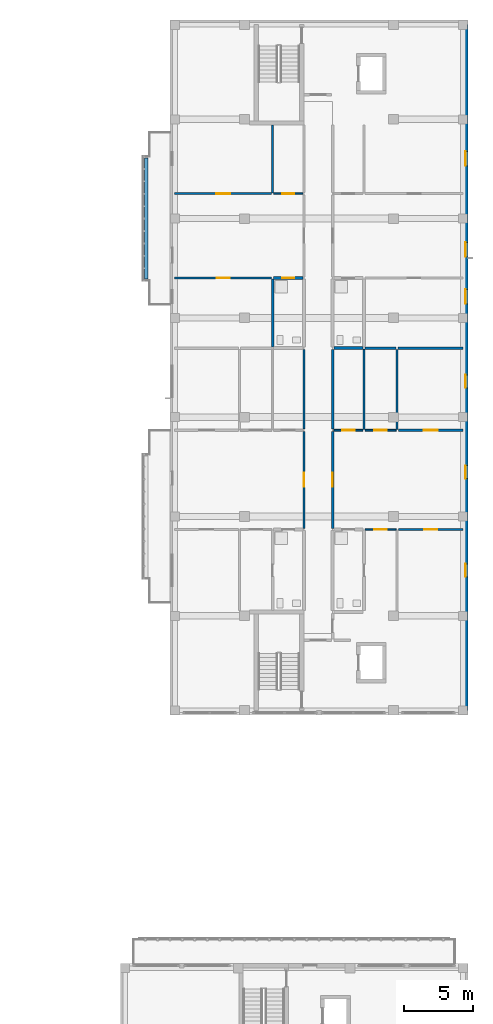
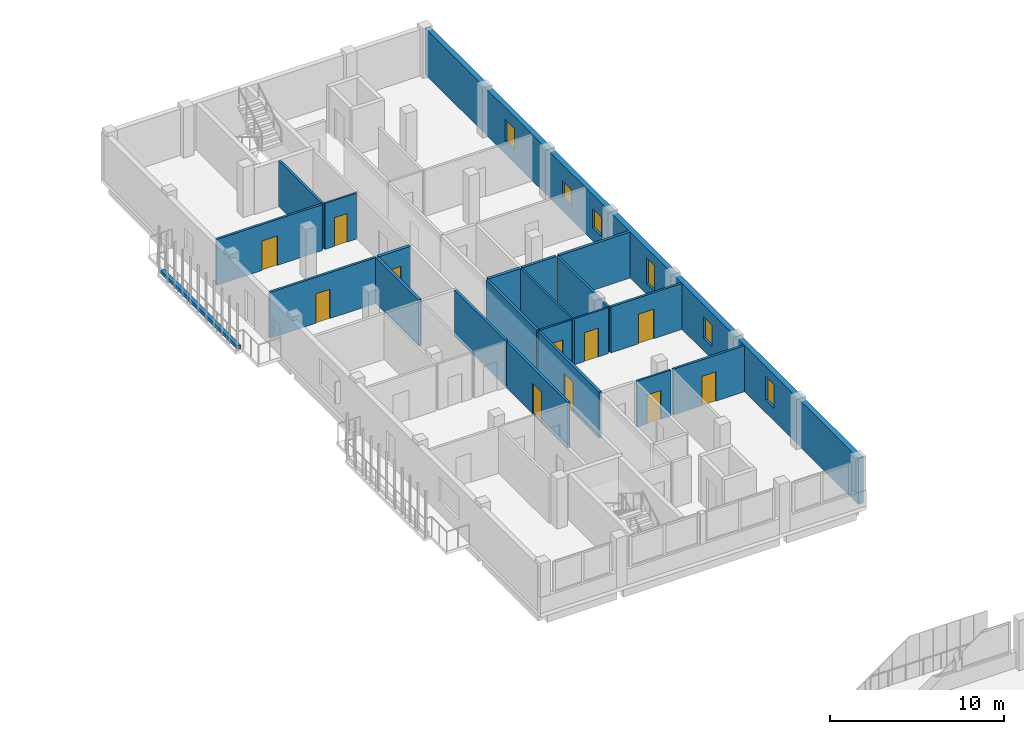
# One storey, part 50 of 73: 22 walls, 11 doors, 6 windows, 17 openings.
"""IFC4 building model written with IfcOpenShell, lengths in metres."""

import ifcopenshell
import ifcopenshell.guid

model = None  # the IFC model being written
_history = None  # IfcOwnerHistory: only IFC2X3 demands one
_inside = {}  # id of a spatial element -> (the spatial element, [elements in it])
_under = {}  # id of a project, library or spatial element -> (it, [spatial elements below it])
_declared = {}  # id of a project -> (the project, [libraries it declares])
_typed = {}  # id of a type object -> (the type object, [elements of that type])
_made_of = {}  # id of a material, layer set ... -> (it, [elements and type objects made of it])


def new_model(schema):
    """Start an empty IFC model of exactly this schema.

    Asked for "IFC4X3", IfcOpenShell would pick the latest addendum, in which some entities
    have other attributes; the version numbers below select the first issue.
    IFC2X3 requires an IfcOwnerHistory on every rooted entity: one is made here for all.
    """
    global model, _history
    if schema == "IFC4X3":
        model = ifcopenshell.file(schema_version=(4, 3, 0, 0))
    else:
        model = ifcopenshell.file(schema=schema)
    _inside.clear()
    _under.clear()
    _declared.clear()
    _typed.clear()
    _made_of.clear()
    _history = None
    if model.schema == "IFC2X3":
        org = make("IfcOrganization", Name="unknown")
        user = make(
            "IfcPersonAndOrganization",
            ThePerson=make("IfcPerson", FamilyName="unknown"),
            TheOrganization=org,
        )
        app = make(
            "IfcApplication",
            ApplicationDeveloper=org,
            Version="unknown",
            ApplicationFullName="unknown",
            ApplicationIdentifier="unknown",
        )
        _history = make(
            "IfcOwnerHistory",
            OwningUser=user,
            OwningApplication=app,
            ChangeAction="ADDED",
            CreationDate=0,
        )
    return model


def make(cls, **values):
    """One entity of the class cls with the attributes given. An attribute that is None is left unset."""
    return model.create_entity(
        cls, **{name: value for name, value in values.items() if value is not None}
    )


def rooted(cls, **values):
    """An entity with a GlobalId (a new one), such as an element, a storey or a relation."""
    return make(cls, GlobalId=ifcopenshell.guid.new(), OwnerHistory=_history, **values)


def si_unit(unit_type, name, prefix=None):
    """IfcSIUnit, for example si_unit("LENGTHUNIT", "METRE", prefix="MILLI")."""
    return make("IfcSIUnit", UnitType=unit_type, Prefix=prefix, Name=name)


def derived_unit(unit_type, elements):
    """IfcDerivedUnit: a product of units, each with its exponent."""
    return make(
        "IfcDerivedUnit",
        Elements=[
            make("IfcDerivedUnitElement", Unit=unit, Exponent=power)
            for unit, power in elements
        ],
        UnitType=unit_type,
    )


def assignment(units):
    """IfcUnitAssignment: the units of a project."""
    return None if units is None else make("IfcUnitAssignment", Units=units)


def point(xyz):
    """IfcCartesianPoint."""
    return None if xyz is None else make("IfcCartesianPoint", Coordinates=xyz)


def direction(xyz):
    """IfcDirection."""
    return None if xyz is None else make("IfcDirection", DirectionRatios=xyz)


def frame(location, z_axis=None, x_axis=None):
    """IfcAxis2Placement3D, a coordinate frame: its origin and axes. An axis left out is left unset."""
    return make(
        "IfcAxis2Placement3D",
        Location=point(location),
        Axis=direction(z_axis),
        RefDirection=direction(x_axis),
    )


def frame_2d(location, x_axis=None):
    """IfcAxis2Placement2D, a coordinate frame in the plane: its origin and x axis."""
    return make(
        "IfcAxis2Placement2D", Location=point(location), RefDirection=direction(x_axis)
    )


def origin():
    """The frame at (0, 0, 0) with its axes left unset."""
    return frame((0.0, 0.0, 0.0))


def place(relative_to, where):
    """IfcLocalPlacement: puts the frame where relative to a parent placement (None: the world)."""
    return make(
        "IfcLocalPlacement", PlacementRelTo=relative_to, RelativePlacement=where
    )


def context(
    kind, dimensions, precision=None, world=None, true_north=None, identifier=None
):
    """IfcGeometricRepresentationContext, for example the 3D "Model" context."""
    return make(
        "IfcGeometricRepresentationContext",
        ContextIdentifier=identifier,
        ContextType=kind,
        CoordinateSpaceDimension=dimensions,
        Precision=precision,
        WorldCoordinateSystem=world,
        TrueNorth=true_north,
    )


def subcontext(parent, identifier, kind, view, scale=None):
    """IfcGeometricRepresentationSubContext, for example "Body" below "Model"."""
    return make(
        "IfcGeometricRepresentationSubContext",
        ContextIdentifier=identifier,
        ContextType=kind,
        ParentContext=parent,
        TargetScale=scale,
        TargetView=view,
    )


def project(units=None, contexts=None):
    """IfcProject with its units and contexts."""
    return rooted(
        "IfcProject",
        Name="project",
        RepresentationContexts=contexts,
        UnitsInContext=assignment(units),
    )


def spatial(cls, under=None, at=None, **own):
    """A site, building, storey or space (cls), placed at a placement, below another one or the project."""
    s = rooted(cls, ObjectPlacement=at, **own)
    if under is not None:
        _under.setdefault(under.id(), (under, []))[1].append(s)
    return s


def profile(cls, at=None, kind="AREA", **sizes):
    """A parametric profile (cls). Its sizes go by their IFC names, for example OverallWidth=200.0."""
    return make(cls, ProfileType=kind, Position=at, **sizes)


def rectangle(**sizes):
    """IfcRectangleProfileDef."""
    return profile("IfcRectangleProfileDef", **sizes)


def extrude(swept, where, along, depth):
    """IfcExtrudedAreaSolid: the profile swept, set in the frame where, extruded along a direction by depth."""
    return make(
        "IfcExtrudedAreaSolid",
        SweptArea=swept,
        Position=where,
        ExtrudedDirection=direction(along),
        Depth=depth,
    )


def shape(context_of_items, identifier, shape_type, items):
    """IfcShapeRepresentation: the items that make up one representation, for example the "Body"."""
    return make(
        "IfcShapeRepresentation",
        ContextOfItems=context_of_items,
        RepresentationIdentifier=identifier,
        RepresentationType=shape_type,
        Items=items,
    )


def material(Name=None, Category=None):
    """IfcMaterial."""
    return make("IfcMaterial", Name=Name, Category=Category)


def layer(
    of_material, thickness, ventilated=None, Name=None, Category=None, Priority=None
):
    """IfcMaterialLayer: one layer of a wall or slab, of a material (None: an air gap)."""
    return make(
        "IfcMaterialLayer",
        Material=of_material,
        LayerThickness=thickness,
        IsVentilated=ventilated,
        Name=Name,
        Category=Category,
        Priority=Priority,
    )


def layer_set(layers, Name=None):
    """IfcMaterialLayerSet."""
    return make("IfcMaterialLayerSet", MaterialLayers=layers, LayerSetName=Name)


def made_of(thing, what):
    """Note that an element or type object is made of a material, layer set ...; save() writes the relation."""
    if what is not None:
        _made_of.setdefault(what.id(), (what, []))[1].append(thing)
    return thing


def type_object(cls, material=None, **own):
    """A type object (cls), such as IfcWallType, which elements share."""
    return made_of(rooted(cls, **own), material)


def element(
    cls,
    number,
    at=None,
    inside=None,
    cuts=None,
    type_object=None,
    material=None,
    context=None,
    identifier="Body",
    shape_type=None,
    held_by="IfcProductDefinitionShape",
    body=None,
    shapes=None,
    **own,
):
    """One element of the class cls, such as IfcWall. Its Tag is "e" and its number.

    at: its placement. inside: the storey or other place that contains it. cuts: it is an
    opening in that element (IfcRelVoidsElement). A single representation is given by context,
    identifier, shape_type and body (its items); several are given by shapes. held_by: the class
    of the entity that holds the representations. save() writes the other relations.
    """
    e = rooted(cls, Tag="e%d" % number, ObjectPlacement=at, **own)
    if body is not None:
        shapes = [shape(context, identifier, shape_type, body)]
    if shapes is not None:
        e.Representation = make(held_by, Representations=shapes)
    if inside is not None:
        _inside.setdefault(inside.id(), (inside, []))[1].append(e)
    if cuts is not None:
        rooted(
            "IfcRelVoidsElement", RelatingBuildingElement=cuts, RelatedOpeningElement=e
        )
    if type_object is not None:
        _typed.setdefault(type_object.id(), (type_object, []))[1].append(e)
    return made_of(e, material)


def fill(opening, filler):
    """IfcRelFillsElement: the door or window that sits in an opening."""
    return rooted(
        "IfcRelFillsElement",
        RelatingOpeningElement=opening,
        RelatedBuildingElement=filler,
    )


def aggregate(whole, parts):
    """IfcRelAggregates: a whole, such as a stair, and the parts it consists of."""
    return rooted("IfcRelAggregates", RelatingObject=whole, RelatedObjects=parts)


def save(model, path):
    """Write the relations noted so far, then the file.

    IfcRelAggregates (storeys below a building ...), IfcRelContainedInSpatialStructure (elements
    in a storey), IfcRelDefinesByType, IfcRelAssociatesMaterial and IfcRelDeclares: one each for
    every whole, place, type object, material and project.
    """
    for whole, parts in _under.values():
        aggregate(whole, parts)
    for where, things in _inside.values():
        rooted(
            "IfcRelContainedInSpatialStructure",
            RelatedElements=things,
            RelatingStructure=where,
        )
    for kind, things in _typed.values():
        rooted("IfcRelDefinesByType", RelatedObjects=things, RelatingType=kind)
    for what, things in _made_of.values():
        rooted("IfcRelAssociatesMaterial", RelatedObjects=things, RelatingMaterial=what)
    for by, libraries in _declared.values():
        rooted("IfcRelDeclares", RelatingContext=by, RelatedDefinitions=libraries)
    model.write(path)


model = new_model("IFC4")

# Units and contexts
model_context = context("Model", 3, precision=1e-05, world=origin(), true_north=direction((0.0, 1.0)))
body_context = subcontext(model_context, "Body", "Model", "MODEL_VIEW")
ifc_project = project(units=[si_unit("LENGTHUNIT", "METRE"), si_unit("AREAUNIT", "SQUARE_METRE"), si_unit("VOLUMEUNIT", "CUBIC_METRE"), si_unit("PLANEANGLEUNIT", "RADIAN"), si_unit("MASSUNIT", "GRAM", prefix="KILO"), derived_unit("THERMALTRANSMITTANCEUNIT", [(si_unit("MASSUNIT", "GRAM", prefix="KILO"), 1), (si_unit("TIMEUNIT", "SECOND"), -3), (si_unit("THERMODYNAMICTEMPERATUREUNIT", "KELVIN"), -1)])], contexts=[model_context])

# Site, building, storey
site_placement = place(None, origin())
site = spatial("IfcSite", under=ifc_project, at=site_placement, CompositionType="ELEMENT")
building_placement = place(site_placement, origin())
building = spatial("IfcBuilding", under=site, at=building_placement, Name="Ochrekiln Boulevard Commons", CompositionType="ELEMENT")
storey_placement = place(building_placement, frame((0.0, 0.0, 8.574951171875)))
storey = spatial("IfcBuildingStorey", under=building, at=storey_placement, Name="L02", CompositionType="ELEMENT", Elevation=8.574951171875)

# Wall, openings, windows
ifc_material_1 = material(Name="Iron-spot brown clinker brick masonry ASTM C216 Grade SW", Category="masonry")
ifc_layer_1 = layer(ifc_material_1, 0.340087890625)
ifc_layer_set_1 = layer_set([ifc_layer_1], Name="Iron-spot brown clinker brick masonry ASTM C216 Grade SW")
wall_type_1 = type_object("IfcWallType", Name="WL-EXT-IRON-340", PredefinedType="SOLIDWALL", material=ifc_layer_set_1)
wall_1_placement = place(storey_placement, frame((172.6298828125, 68.739990234375, 0.0), z_axis=(0.0, 0.0, 1.0), x_axis=(0.0, 1.0, 0.0)))
wall_1 = element("IfcWall", 1, at=wall_1_placement, inside=storey, type_object=wall_type_1, Name="Block B L02 E Exterior Wall", PredefinedType="SOLIDWALL", context=body_context, shape_type="SweptSolid", body=[
    extrude(rectangle(XDim=49.719970703125, YDim=0.340087890625, at=frame_2d((24.85986328125, 0.0))), origin(), (0.0, 0.0, 1.0), 3.239990234375),
])
opening_1_placement = place(wall_1_placement, frame((16.806884765625, 0.0, 0.89990234375)))
opening_1 = element("IfcOpeningElement", 2, at=opening_1_placement, cuts=wall_1, Name="Opening W-03", PredefinedType="OPENING", context=body_context, shape_type="SweptSolid", body=[
    extrude(rectangle(XDim=0.949951171875, YDim=1.5, at=frame_2d((0.47509765625, 0.75))), frame((0.0, 0.179931640625, 0.0), z_axis=(0.0, -1.0, 0.0), x_axis=(1.0, 0.0, 0.0)), (0.0, 0.0, 1.0), 0.360107421875),
])
opening_2_placement = place(wall_1_placement, frame((9.677978515625, 0.0, 0.89990234375)))
opening_2 = element("IfcOpeningElement", 3, at=opening_2_placement, cuts=wall_1, Name="Opening W-04", PredefinedType="OPENING", context=body_context, shape_type="SweptSolid", body=[
    extrude(rectangle(XDim=0.949951171875, YDim=1.64990234375, at=frame_2d((0.47509765625, 0.824951171875))), frame((0.0, 0.179931640625, 0.0), z_axis=(0.0, -1.0, 0.0), x_axis=(1.0, 0.0, 0.0)), (0.0, 0.0, 1.0), 0.360107421875),
])
opening_3_placement = place(wall_1_placement, frame((23.37890625, 0.0, 0.7548828125)))
opening_3 = element("IfcOpeningElement", 4, at=opening_3_placement, cuts=wall_1, Name="Opening W-05", PredefinedType="OPENING", context=body_context, shape_type="SweptSolid", body=[
    extrude(rectangle(XDim=0.949951171875, YDim=1.800048828125, at=frame_2d((0.47509765625, 0.89990234375))), frame((0.0, 0.179931640625, 0.0), z_axis=(0.0, -1.0, 0.0), x_axis=(1.0, 0.0, 0.0)), (0.0, 0.0, 1.0), 0.360107421875),
])
opening_4_placement = place(wall_1_placement, frame((32.885009765625, 0.0, 0.89990234375)))
opening_4 = element("IfcOpeningElement", 5, at=opening_4_placement, cuts=wall_1, Name="Opening W-06", PredefinedType="OPENING", context=body_context, shape_type="SweptSolid", body=[
    extrude(rectangle(XDim=1.050048828125, YDim=1.199951171875, at=frame_2d((0.52490234375, 0.60009765625))), frame((0.0, 0.179931640625, 0.0), z_axis=(0.0, -1.0, 0.0), x_axis=(1.0, 0.0, 0.0)), (0.0, 0.0, 1.0), 0.360107421875),
])
opening_5_placement = place(wall_1_placement, frame((29.47509765625, 0.0, 0.89990234375)))
opening_5 = element("IfcOpeningElement", 6, at=opening_5_placement, cuts=wall_1, Name="Opening W-07", PredefinedType="OPENING", context=body_context, shape_type="SweptSolid", body=[
    extrude(rectangle(XDim=1.050048828125, YDim=1.35009765625, at=frame_2d((0.52490234375, 0.675048828125))), frame((0.0, 0.179931640625, 0.0), z_axis=(0.0, -1.0, 0.0), x_axis=(1.0, 0.0, 0.0)), (0.0, 0.0, 1.0), 0.360107421875),
])
opening_6_placement = place(wall_1_placement, frame((39.47900390625, 0.0, 0.89990234375)))
opening_6 = element("IfcOpeningElement", 7, at=opening_6_placement, cuts=wall_1, Name="Opening W-08", PredefinedType="OPENING", context=body_context, shape_type="SweptSolid", body=[
    extrude(rectangle(XDim=1.050048828125, YDim=1.5, at=frame_2d((0.52490234375, 0.75))), frame((0.0, 0.179931640625, 0.0), z_axis=(0.0, -1.0, 0.0), x_axis=(1.0, 0.0, 0.0)), (0.0, 0.0, 1.0), 0.360107421875),
])
ifc_material_2 = material(Name="Thermally broken aluminium-clad oak frame", Category="aluminium")
window_type_1 = type_object("IfcWindowType", Name="WIN-EXT-03", PartitioningType="SINGLE_PANEL", PredefinedType="WINDOW", material=ifc_material_2)
window_1_placement = place(opening_1_placement, origin())
window_1 = element("IfcWindow", 8, at=window_1_placement, inside=storey, type_object=window_type_1, Name="Block B L02 Punched Masonry Window W-03", OverallHeight=1.5, OverallWidth=0.949951171875, PartitioningType="SINGLE_PANEL", PredefinedType="WINDOW", context=body_context, shape_type="SweptSolid", body=[
    extrude(rectangle(XDim=0.949951171875, YDim=1.5, at=frame_2d((0.47509765625, 0.75))), frame((0.0, 0.030029296875, 0.0), z_axis=(0.0, -1.0, 0.0), x_axis=(1.0, 0.0, 0.0)), (0.0, 0.0, 1.0), 0.06005859375),
])
fill(opening_1, window_1)
window_type_2 = type_object("IfcWindowType", Name="WIN-EXT-04", PartitioningType="SINGLE_PANEL", PredefinedType="WINDOW", material=ifc_material_2)
window_2_placement = place(opening_2_placement, origin())
window_2 = element("IfcWindow", 9, at=window_2_placement, inside=storey, type_object=window_type_2, Name="Block B L02 Punched Masonry Window W-04", OverallHeight=1.64990234375, OverallWidth=0.949951171875, PartitioningType="SINGLE_PANEL", PredefinedType="WINDOW", context=body_context, shape_type="SweptSolid", body=[
    extrude(rectangle(XDim=0.949951171875, YDim=1.64990234375, at=frame_2d((0.47509765625, 0.824951171875))), frame((0.0, 0.030029296875, 0.0), z_axis=(0.0, -1.0, 0.0), x_axis=(1.0, 0.0, 0.0)), (0.0, 0.0, 1.0), 0.06005859375),
])
fill(opening_2, window_2)
window_type_3 = type_object("IfcWindowType", Name="WIN-EXT-05", PartitioningType="SINGLE_PANEL", PredefinedType="WINDOW", material=ifc_material_2)
window_3_placement = place(opening_3_placement, origin())
window_3 = element("IfcWindow", 10, at=window_3_placement, inside=storey, type_object=window_type_3, Name="Block B L02 Punched Masonry Window W-05", OverallHeight=1.800048828125, OverallWidth=0.949951171875, PartitioningType="SINGLE_PANEL", PredefinedType="WINDOW", context=body_context, shape_type="SweptSolid", body=[
    extrude(rectangle(XDim=0.949951171875, YDim=1.800048828125, at=frame_2d((0.47509765625, 0.89990234375))), frame((0.0, 0.030029296875, 0.0), z_axis=(0.0, -1.0, 0.0), x_axis=(1.0, 0.0, 0.0)), (0.0, 0.0, 1.0), 0.06005859375),
])
fill(opening_3, window_3)
window_type_4 = type_object("IfcWindowType", Name="WIN-EXT-06", PartitioningType="SINGLE_PANEL", PredefinedType="WINDOW", material=ifc_material_2)
window_4_placement = place(opening_4_placement, origin())
window_4 = element("IfcWindow", 11, at=window_4_placement, inside=storey, type_object=window_type_4, Name="Block B L02 Punched Masonry Window W-06", OverallHeight=1.199951171875, OverallWidth=1.050048828125, PartitioningType="SINGLE_PANEL", PredefinedType="WINDOW", context=body_context, shape_type="SweptSolid", body=[
    extrude(rectangle(XDim=1.050048828125, YDim=1.199951171875, at=frame_2d((0.52490234375, 0.60009765625))), frame((0.0, 0.030029296875, 0.0), z_axis=(0.0, -1.0, 0.0), x_axis=(1.0, 0.0, 0.0)), (0.0, 0.0, 1.0), 0.06005859375),
])
fill(opening_4, window_4)
window_type_5 = type_object("IfcWindowType", Name="WIN-EXT-07", PartitioningType="SINGLE_PANEL", PredefinedType="WINDOW", material=ifc_material_2)
window_5_placement = place(opening_5_placement, origin())
window_5 = element("IfcWindow", 12, at=window_5_placement, inside=storey, type_object=window_type_5, Name="Block B L02 Punched Masonry Window W-07", OverallHeight=1.35009765625, OverallWidth=1.050048828125, PartitioningType="SINGLE_PANEL", PredefinedType="WINDOW", context=body_context, shape_type="SweptSolid", body=[
    extrude(rectangle(XDim=1.050048828125, YDim=1.35009765625, at=frame_2d((0.52490234375, 0.675048828125))), frame((0.0, 0.030029296875, 0.0), z_axis=(0.0, -1.0, 0.0), x_axis=(1.0, 0.0, 0.0)), (0.0, 0.0, 1.0), 0.06005859375),
])
fill(opening_5, window_5)
window_type_6 = type_object("IfcWindowType", Name="WIN-EXT-08", PartitioningType="SINGLE_PANEL", PredefinedType="WINDOW", material=ifc_material_2)
window_6_placement = place(opening_6_placement, origin())
window_6 = element("IfcWindow", 13, at=window_6_placement, inside=storey, type_object=window_type_6, Name="Block B L02 Punched Masonry Window W-08", OverallHeight=1.5, OverallWidth=1.050048828125, PartitioningType="SINGLE_PANEL", PredefinedType="WINDOW", context=body_context, shape_type="SweptSolid", body=[
    extrude(rectangle(XDim=1.050048828125, YDim=1.5, at=frame_2d((0.52490234375, 0.75))), frame((0.0, 0.030029296875, 0.0), z_axis=(0.0, -1.0, 0.0), x_axis=(1.0, 0.0, 0.0)), (0.0, 0.0, 1.0), 0.06005859375),
])
fill(opening_6, window_6)

# Wall, opening, door
ifc_material_3 = material(Name="Moisture-resistant cementitious tile backer wall")
ifc_layer_2 = layer(ifc_material_3, 0.199951171875)
ifc_layer_set_2 = layer_set([ifc_layer_2], Name="Moisture-resistant cementitious tile backer wall")
wall_type_2 = type_object("IfcWallType", Name="WL-PLM-200", PredefinedType="PLUMBINGWALL", material=ifc_layer_set_2)
wall_2_placement = place(storey_placement, frame((158.719970703125, 100.090087890625, 0.0), z_axis=(0.0, 0.0, 1.0), x_axis=(1.0, 0.0, 0.0)))
wall_2 = element("IfcWall", 14, at=wall_2_placement, inside=storey, type_object=wall_type_2, Name="L02 Interior Wall W-PW200", PredefinedType="PLUMBINGWALL", context=body_context, shape_type="SweptSolid", body=[
    extrude(rectangle(XDim=2.10693359375, YDim=0.199951171875, at=frame_2d((1.053466796875, 0.0))), origin(), (0.0, 0.0, 1.0), 3.219970703125),
])
opening_7_placement = place(wall_2_placement, frame((0.60498046875, 0.0, 0.0)))
opening_7 = element("IfcOpeningElement", 15, at=opening_7_placement, cuts=wall_2, Name="Opening D-L02-350", PredefinedType="OPENING", context=body_context, shape_type="SweptSolid", body=[
    extrude(rectangle(XDim=0.889892578125, YDim=2.030029296875, at=frame_2d((0.44482421875, 1.01513671875))), frame((0.0, 0.10986328125, 0.0), z_axis=(0.0, -1.0, 0.0), x_axis=(1.0, 0.0, 0.0)), (0.0, 0.0, 1.0), 0.219970703125),
])
ifc_material_4 = material(Name="Solid core architectural oak door leaf")
door_type_1 = type_object("IfcDoorType", Name="DR-INT-BTH-089", OperationType="NOTDEFINED", PredefinedType="DOOR", material=ifc_material_4)
door_1_placement = place(opening_7_placement, frame((0.889892578125, 0.0, 0.0), z_axis=(0.0, 0.0, 1.0), x_axis=(-1.0, 0.0, 0.0)))
door_1 = element("IfcDoor", 16, at=door_1_placement, inside=storey, type_object=door_type_1, Name="L02 Interior Door to Apartment Bathroom", OperationType="SINGLE_SWING_RIGHT", OverallHeight=2.030029296875, OverallWidth=0.889892578125, PredefinedType="DOOR", context=body_context, shape_type="SweptSolid", body=[
    extrude(rectangle(XDim=0.889892578125, YDim=2.030029296875, at=frame_2d((0.44482421875, 1.01513671875))), frame((0.0, 0.02490234375, 0.0), z_axis=(0.0, -1.0, 0.0), x_axis=(1.0, 0.0, 0.0)), (0.0, 0.0, 1.0), 0.050048828125),
])
fill(opening_7, door_1)

# Walls
wall_3_placement = place(storey_placement, frame((158.639892578125, 95.097900390625, 0.0), z_axis=(0.0, 0.0, 1.0), x_axis=(0.0, 1.0, 0.0)))
element("IfcWall", 17, at=wall_3_placement, inside=storey, type_object=wall_type_2, Name="L02 Interior Wall W-PW200", PredefinedType="PLUMBINGWALL", context=body_context, shape_type="SweptSolid", body=[
    extrude(rectangle(XDim=4.912109375, YDim=0.199951171875, at=frame_2d((2.4560546875, 0.0))), origin(), (0.0, 0.0, 1.0), 3.219970703125),
])
wall_4_placement = place(storey_placement, frame((163.072998046875, 95.008056640625, 0.0), z_axis=(0.0, 0.0, 1.0), x_axis=(1.0, 0.0, 0.0)))
element("IfcWall", 18, at=wall_4_placement, inside=storey, type_object=wall_type_2, Name="L02 Interior Wall W-PW200", PredefinedType="PLUMBINGWALL", context=body_context, shape_type="SweptSolid", body=[
    extrude(rectangle(XDim=2.126953125, YDim=0.199951171875, at=frame_2d((1.0634765625, 0.0))), origin(), (0.0, 0.0, 1.0), 3.219970703125),
])
ifc_material_5 = material(Name="Glazed architectural terracotta ASTM C1405", Category="masonry")
ifc_layer_3 = layer(ifc_material_5, 0.25)
ifc_layer_set_3 = layer_set([ifc_layer_3], Name="Glazed architectural terracotta ASTM C1405")
wall_type_3 = type_object("IfcWallType", Name="WL-PLN-250", PredefinedType="PARAPET", material=ifc_layer_set_3)
wall_5_placement = place(storey_placement, frame((149.47998046875, 100.010009765625, 0.0), z_axis=(0.0, 0.0, 1.0), x_axis=(0.0, 1.0, 0.0)))
element("IfcWall", 19, at=wall_5_placement, inside=storey, type_object=wall_type_3, Name="Block B L02 Balcony Terracotta Planter Box 2", PredefinedType="PARAPET", context=body_context, shape_type="SweptSolid", body=[
    extrude(rectangle(XDim=8.780029296875, YDim=0.25, at=frame_2d((4.39013671875, 0.0))), origin(), (0.0, 0.0, 1.0), 0.22998046875),
])

# Wall, opening, door
ifc_material_6 = material(Name="Fire-rated Type X gypsum board on steel studs", Category="steel")
ifc_layer_4 = layer(ifc_material_6, 0.1650390625)
ifc_layer_set_4 = layer_set([ifc_layer_4], Name="Fire-rated Type X gypsum board on steel studs")
wall_type_4 = type_object("IfcWallType", Name="WL-PT-CORR-165", PredefinedType="PARTITIONING", material=ifc_layer_set_4)
wall_6_placement = place(storey_placement, frame((160.909912109375, 81.945068359375, 0.0), z_axis=(0.0, 0.0, 1.0), x_axis=(0.0, 1.0, 0.0)))
wall_6 = element("IfcWall", 20, at=wall_6_placement, inside=storey, type_object=wall_type_4, Name="L02 Interior Wall W-PC165", PredefinedType="PARTITIONING", context=body_context, shape_type="SweptSolid", body=[
    extrude(rectangle(XDim=7.02783203125, YDim=0.1650390625, at=frame_2d((3.513916015625, 0.0))), origin(), (0.0, 0.0, 1.0), 3.219970703125),
])
opening_8_placement = place(wall_6_placement, frame((3.009033203125, 0.0, 0.0)))
opening_8 = element("IfcOpeningElement", 21, at=opening_8_placement, cuts=wall_6, Name="Opening D-L02-339", PredefinedType="OPENING", context=body_context, shape_type="SweptSolid", body=[
    extrude(rectangle(XDim=1.010009765625, YDim=2.110107421875, at=frame_2d((0.5048828125, 1.05517578125))), frame((0.0, 0.092529296875, 0.0), z_axis=(0.0, -1.0, 0.0), x_axis=(1.0, 0.0, 0.0)), (0.0, 0.0, 1.0), 0.18505859375),
])
door_type_2 = type_object("IfcDoorType", Name="DR-INT-APT-101", OperationType="NOTDEFINED", PredefinedType="DOOR", material=ifc_material_4)
door_2_placement = place(opening_8_placement, origin())
door_2 = element("IfcDoor", 22, at=door_2_placement, inside=storey, type_object=door_type_2, Name="L02 Interior Door to Two-Bedroom Apartment Living Room", OperationType="SINGLE_SWING_LEFT", OverallHeight=2.110107421875, OverallWidth=1.010009765625, PredefinedType="DOOR", context=body_context, shape_type="SweptSolid", body=[
    extrude(rectangle(XDim=1.010009765625, YDim=2.110107421875, at=frame_2d((0.5048828125, 1.05517578125))), frame((0.0, 0.02490234375, 0.0), z_axis=(0.0, -1.0, 0.0), x_axis=(1.0, 0.0, 0.0)), (0.0, 0.0, 1.0), 0.050048828125),
])
fill(opening_8, door_2)

# Wall
wall_7_placement = place(storey_placement, frame((160.909912109375, 89.133056640625, 0.0), z_axis=(0.0, 0.0, 1.0), x_axis=(0.0, 1.0, 0.0)))
element("IfcWall", 23, at=wall_7_placement, inside=storey, type_object=wall_type_4, Name="L02 Interior Wall W-PC165", PredefinedType="PARTITIONING", context=body_context, shape_type="SweptSolid", body=[
    extrude(rectangle(XDim=5.784912109375, YDim=0.1650390625, at=frame_2d((2.892578125, 0.0))), origin(), (0.0, 0.0, 1.0), 3.219970703125),
])

# Wall, opening, door
wall_8_placement = place(storey_placement, frame((162.989990234375, 81.945068359375, 0.0), z_axis=(0.0, 0.0, 1.0), x_axis=(0.0, 1.0, 0.0)))
wall_8 = element("IfcWall", 24, at=wall_8_placement, inside=storey, type_object=wall_type_4, Name="L02 Interior Wall W-PC165", PredefinedType="PARTITIONING", context=body_context, shape_type="SweptSolid", body=[
    extrude(rectangle(XDim=7.02783203125, YDim=0.1650390625, at=frame_2d((3.513916015625, 0.0))), origin(), (0.0, 0.0, 1.0), 3.219970703125),
])
opening_9_placement = place(wall_8_placement, frame((3.009033203125, 0.0, 0.0)))
opening_9 = element("IfcOpeningElement", 25, at=opening_9_placement, cuts=wall_8, Name="Opening D-L02-341", PredefinedType="OPENING", context=body_context, shape_type="SweptSolid", body=[
    extrude(rectangle(XDim=1.010009765625, YDim=2.110107421875, at=frame_2d((0.5048828125, 1.05517578125))), frame((0.0, 0.092529296875, 0.0), z_axis=(0.0, -1.0, 0.0), x_axis=(1.0, 0.0, 0.0)), (0.0, 0.0, 1.0), 0.18505859375),
])
door_3_placement = place(opening_9_placement, frame((1.010009765625, 0.0, 0.0), z_axis=(0.0, 0.0, 1.0), x_axis=(-1.0, 0.0, 0.0)))
door_3 = element("IfcDoor", 26, at=door_3_placement, inside=storey, type_object=door_type_2, Name="L02 Interior Door to Two-Bedroom Apartment Living Room", OperationType="SINGLE_SWING_LEFT", OverallHeight=2.110107421875, OverallWidth=1.010009765625, PredefinedType="DOOR", context=body_context, shape_type="SweptSolid", body=[
    extrude(rectangle(XDim=1.010009765625, YDim=2.110107421875, at=frame_2d((0.5048828125, 1.05517578125))), frame((0.0, 0.02490234375, 0.0), z_axis=(0.0, -1.0, 0.0), x_axis=(1.0, 0.0, 0.0)), (0.0, 0.0, 1.0), 0.050048828125),
])
fill(opening_9, door_3)

# Walls
wall_9_placement = place(storey_placement, frame((162.989990234375, 89.133056640625, 0.0), z_axis=(0.0, 0.0, 1.0), x_axis=(0.0, 1.0, 0.0)))
element("IfcWall", 27, at=wall_9_placement, inside=storey, type_object=wall_type_4, Name="L02 Interior Wall W-PC165", PredefinedType="PARTITIONING", context=body_context, shape_type="SweptSolid", body=[
    extrude(rectangle(XDim=5.784912109375, YDim=0.1650390625, at=frame_2d((2.892578125, 0.0))), origin(), (0.0, 0.0, 1.0), 3.219970703125),
])
ifc_layer_5 = layer(ifc_material_6, 0.179931640625)
ifc_layer_set_5 = layer_set([ifc_layer_5], Name="Fire-rated Type X gypsum board on steel studs")
wall_type_5 = type_object("IfcWallType", Name="WL-PT-DEM-180", PredefinedType="PARTITIONING", material=ifc_layer_set_5)
wall_10_placement = place(storey_placement, frame((167.7451171875, 95.008056640625, 0.0), z_axis=(0.0, 0.0, 1.0), x_axis=(1.0, 0.0, 0.0)))
element("IfcWall", 28, at=wall_10_placement, inside=storey, type_object=wall_type_5, Name="L02 Interior Wall W-PD180", PredefinedType="PARTITIONING", context=body_context, shape_type="SweptSolid", body=[
    extrude(rectangle(XDim=4.71484375, YDim=0.179931640625, at=frame_2d((2.357421875, 0.0))), origin(), (0.0, 0.0, 1.0), 3.219970703125),
])
wall_11_placement = place(storey_placement, frame((165.320068359375, 95.008056640625, 0.0), z_axis=(0.0, 0.0, 1.0), x_axis=(1.0, 0.0, 0.0)))
element("IfcWall", 29, at=wall_11_placement, inside=storey, type_object=wall_type_5, Name="L02 Interior Wall W-PD180", PredefinedType="PARTITIONING", context=body_context, shape_type="SweptSolid", body=[
    extrude(rectangle(XDim=2.27001953125, YDim=0.179931640625, at=frame_2d((1.135009765625, 0.0))), origin(), (0.0, 0.0, 1.0), 3.219970703125),
])

# Wall, opening, door
ifc_layer_6 = layer(ifc_material_6, 0.1201171875)
ifc_layer_set_6 = layer_set([ifc_layer_6], Name="Fire-rated Type X gypsum board on steel studs")
wall_type_6 = type_object("IfcWallType", Name="WL-PT-LGT-120", PredefinedType="PARTITIONING", material=ifc_layer_set_6)
wall_12_placement = place(storey_placement, frame((158.719970703125, 106.2080078125, 0.0), z_axis=(0.0, 0.0, 1.0), x_axis=(1.0, 0.0, 0.0)))
wall_12 = element("IfcWall", 30, at=wall_12_placement, inside=storey, type_object=wall_type_6, Name="L02 Interior Wall W-PL120", PredefinedType="PARTITIONING", context=body_context, shape_type="SweptSolid", body=[
    extrude(rectangle(XDim=2.10693359375, YDim=0.1201171875, at=frame_2d((1.053466796875, 0.0))), origin(), (0.0, 0.0, 1.0), 3.219970703125),
])
opening_10_placement = place(wall_12_placement, frame((0.625, 0.0, 0.0)))
opening_10 = element("IfcOpeningElement", 31, at=opening_10_placement, cuts=wall_12, Name="Opening D-L02-351", PredefinedType="OPENING", context=body_context, shape_type="SweptSolid", body=[
    extrude(rectangle(XDim=0.85009765625, YDim=2.010009765625, at=frame_2d((0.425048828125, 1.0048828125))), frame((0.0, 0.070068359375, 0.0), z_axis=(0.0, -1.0, 0.0), x_axis=(1.0, 0.0, 0.0)), (0.0, 0.0, 1.0), 0.14013671875),
])
door_type_3 = type_object("IfcDoorType", Name="DR-INT-KIT-085", OperationType="NOTDEFINED", PredefinedType="DOOR", material=ifc_material_4)
door_4_placement = place(opening_10_placement, origin())
door_4 = element("IfcDoor", 32, at=door_4_placement, inside=storey, type_object=door_type_3, Name="L02 Interior Door to Apartment Kitchen", OperationType="SINGLE_SWING_LEFT", OverallHeight=2.010009765625, OverallWidth=0.85009765625, PredefinedType="DOOR", context=body_context, shape_type="SweptSolid", body=[
    extrude(rectangle(XDim=0.85009765625, YDim=2.010009765625, at=frame_2d((0.425048828125, 1.0048828125))), frame((0.0, 0.02490234375, 0.0), z_axis=(0.0, -1.0, 0.0), x_axis=(1.0, 0.0, 0.0)), (0.0, 0.0, 1.0), 0.050048828125),
])
fill(opening_10, door_4)

wall_13_placement = place(storey_placement, frame((163.072998046875, 89.052978515625, 0.0), z_axis=(0.0, 0.0, 1.0), x_axis=(1.0, 0.0, 0.0)))
wall_13 = element("IfcWall", 33, at=wall_13_placement, inside=storey, type_object=wall_type_6, Name="L02 Interior Wall W-PL120", PredefinedType="PARTITIONING", context=body_context, shape_type="SweptSolid", body=[
    extrude(rectangle(XDim=2.10693359375, YDim=0.1201171875, at=frame_2d((1.053466796875, 0.0))), origin(), (0.0, 0.0, 1.0), 3.219970703125),
])
opening_11_placement = place(wall_13_placement, frame((0.596923828125, 0.0, 0.0)))
opening_11 = element("IfcOpeningElement", 34, at=opening_11_placement, cuts=wall_13, Name="Opening D-L02-355", PredefinedType="OPENING", context=body_context, shape_type="SweptSolid", body=[
    extrude(rectangle(XDim=0.919921875, YDim=2.02001953125, at=frame_2d((0.4599609375, 1.010009765625))), frame((0.0, 0.070068359375, 0.0), z_axis=(0.0, -1.0, 0.0), x_axis=(1.0, 0.0, 0.0)), (0.0, 0.0, 1.0), 0.14013671875),
])
door_type_4 = type_object("IfcDoorType", Name="DR-INT-KIT-092", OperationType="NOTDEFINED", PredefinedType="DOOR", material=ifc_material_4)
door_5_placement = place(opening_11_placement, origin())
door_5 = element("IfcDoor", 35, at=door_5_placement, inside=storey, type_object=door_type_4, Name="L02 Interior Door to Apartment Kitchen", OperationType="SINGLE_SWING_LEFT", OverallHeight=2.02001953125, OverallWidth=0.919921875, PredefinedType="DOOR", context=body_context, shape_type="SweptSolid", body=[
    extrude(rectangle(XDim=0.919921875, YDim=2.02001953125, at=frame_2d((0.4599609375, 1.010009765625))), frame((0.0, 0.02490234375, 0.0), z_axis=(0.0, -1.0, 0.0), x_axis=(1.0, 0.0, 0.0)), (0.0, 0.0, 1.0), 0.050048828125),
])
fill(opening_11, door_5)

wall_14_placement = place(storey_placement, frame((165.340087890625, 81.864990234375, 0.0), z_axis=(0.0, 0.0, 1.0), x_axis=(1.0, 0.0, 0.0)))
wall_14 = element("IfcWall", 36, at=wall_14_placement, inside=storey, type_object=wall_type_6, Name="L02 Interior Wall W-PL120", PredefinedType="PARTITIONING", context=body_context, shape_type="SweptSolid", body=[
    extrude(rectangle(XDim=2.25, YDim=0.1201171875, at=frame_2d((1.125, 0.0))), origin(), (0.0, 0.0, 1.0), 3.219970703125),
])
opening_12_placement = place(wall_14_placement, frame((0.6650390625, 0.0, 0.0)))
opening_12 = element("IfcOpeningElement", 37, at=opening_12_placement, cuts=wall_14, Name="Opening D-L02-357", PredefinedType="OPENING", context=body_context, shape_type="SweptSolid", body=[
    extrude(rectangle(XDim=0.919921875, YDim=2.02001953125, at=frame_2d((0.4599609375, 1.010009765625))), frame((0.0, 0.070068359375, 0.0), z_axis=(0.0, -1.0, 0.0), x_axis=(1.0, 0.0, 0.0)), (0.0, 0.0, 1.0), 0.14013671875),
])
door_6_placement = place(opening_12_placement, frame((0.919921875, 0.0, 0.0), z_axis=(0.0, 0.0, 1.0), x_axis=(-1.0, 0.0, 0.0)))
door_6 = element("IfcDoor", 38, at=door_6_placement, inside=storey, type_object=door_type_4, Name="L02 Interior Door to Apartment Walk-In Wardrobe", OperationType="SINGLE_SWING_LEFT", OverallHeight=2.02001953125, OverallWidth=0.919921875, PredefinedType="DOOR", context=body_context, shape_type="SweptSolid", body=[
    extrude(rectangle(XDim=0.919921875, YDim=2.02001953125, at=frame_2d((0.4599609375, 1.010009765625))), frame((0.0, 0.02490234375, 0.0), z_axis=(0.0, -1.0, 0.0), x_axis=(1.0, 0.0, 0.0)), (0.0, 0.0, 1.0), 0.050048828125),
])
fill(opening_12, door_6)

wall_15_placement = place(storey_placement, frame((165.340087890625, 89.052978515625, 0.0), z_axis=(0.0, 0.0, 1.0), x_axis=(1.0, 0.0, 0.0)))
wall_15 = element("IfcWall", 39, at=wall_15_placement, inside=storey, type_object=wall_type_6, Name="L02 Interior Wall W-PL120", PredefinedType="PARTITIONING", context=body_context, shape_type="SweptSolid", body=[
    extrude(rectangle(XDim=2.25, YDim=0.1201171875, at=frame_2d((1.125, 0.0))), origin(), (0.0, 0.0, 1.0), 3.219970703125),
])
opening_13_placement = place(wall_15_placement, frame((0.6650390625, 0.0, 0.0)))
opening_13 = element("IfcOpeningElement", 40, at=opening_13_placement, cuts=wall_15, Name="Opening D-L02-359", PredefinedType="OPENING", context=body_context, shape_type="SweptSolid", body=[
    extrude(rectangle(XDim=0.919921875, YDim=2.02001953125, at=frame_2d((0.4599609375, 1.010009765625))), frame((0.0, 0.070068359375, 0.0), z_axis=(0.0, -1.0, 0.0), x_axis=(1.0, 0.0, 0.0)), (0.0, 0.0, 1.0), 0.14013671875),
])
door_7_placement = place(opening_13_placement, origin())
door_7 = element("IfcDoor", 41, at=door_7_placement, inside=storey, type_object=door_type_4, Name="L02 Interior Door to Apartment Walk-In Wardrobe", OperationType="SINGLE_SWING_LEFT", OverallHeight=2.02001953125, OverallWidth=0.919921875, PredefinedType="DOOR", context=body_context, shape_type="SweptSolid", body=[
    extrude(rectangle(XDim=0.919921875, YDim=2.02001953125, at=frame_2d((0.4599609375, 1.010009765625))), frame((0.0, 0.02490234375, 0.0), z_axis=(0.0, -1.0, 0.0), x_axis=(1.0, 0.0, 0.0)), (0.0, 0.0, 1.0), 0.050048828125),
])
fill(opening_13, door_7)

# Wall
wall_16_placement = place(storey_placement, frame((165.260009765625, 89.113037109375, 0.0), z_axis=(0.0, 0.0, 1.0), x_axis=(0.0, 1.0, 0.0)))
element("IfcWall", 42, at=wall_16_placement, inside=storey, type_object=wall_type_6, Name="L02 Interior Wall W-PL120", PredefinedType="PARTITIONING", context=body_context, shape_type="SweptSolid", body=[
    extrude(rectangle(XDim=5.804931640625, YDim=0.1201171875, at=frame_2d((2.90234375, 0.0))), origin(), (0.0, 0.0, 1.0), 3.219970703125),
])

# Wall, opening, door
ifc_layer_7 = layer(ifc_material_6, 0.14990234375)
ifc_layer_set_7 = layer_set([ifc_layer_7], Name="Fire-rated Type X gypsum board on steel studs")
wall_type_7 = type_object("IfcWallType", Name="WL-PT-STD-150", PredefinedType="PARTITIONING", material=ifc_layer_set_7)
wall_17_placement = place(storey_placement, frame((151.5400390625, 100.090087890625, 0.0), z_axis=(0.0, 0.0, 1.0), x_axis=(1.0, 0.0, 0.0)))
wall_17 = element("IfcWall", 43, at=wall_17_placement, inside=storey, type_object=wall_type_7, Name="L02 Interior Wall W-PS150", PredefinedType="PARTITIONING", context=body_context, shape_type="SweptSolid", body=[
    extrude(rectangle(XDim=7.02001953125, YDim=0.14990234375, at=frame_2d((3.510009765625, 0.0))), origin(), (0.0, 0.0, 1.0), 3.219970703125),
])
opening_14_placement = place(wall_17_placement, frame((3.044921875, 0.0, 0.0)))
opening_14 = element("IfcOpeningElement", 44, at=opening_14_placement, cuts=wall_17, Name="Opening D-L02-352", PredefinedType="OPENING", context=body_context, shape_type="SweptSolid", body=[
    extrude(rectangle(XDim=0.93994140625, YDim=2.06005859375, at=frame_2d((0.469970703125, 1.030029296875))), frame((0.0, 0.0849609375, 0.0), z_axis=(0.0, -1.0, 0.0), x_axis=(1.0, 0.0, 0.0)), (0.0, 0.0, 1.0), 0.169921875),
])
door_type_5 = type_object("IfcDoorType", Name="DR-INT-BED-094", OperationType="NOTDEFINED", PredefinedType="DOOR", material=ifc_material_4)
door_8_placement = place(opening_14_placement, frame((0.93994140625, 0.0, 0.0), z_axis=(0.0, 0.0, 1.0), x_axis=(-1.0, 0.0, 0.0)))
door_8 = element("IfcDoor", 45, at=door_8_placement, inside=storey, type_object=door_type_5, Name="L02 Interior Door to Primary Apartment Bedroom", OperationType="SINGLE_SWING_RIGHT", OverallHeight=2.06005859375, OverallWidth=0.93994140625, PredefinedType="DOOR", context=body_context, shape_type="SweptSolid", body=[
    extrude(rectangle(XDim=0.93994140625, YDim=2.06005859375, at=frame_2d((0.469970703125, 1.030029296875))), frame((0.0, 0.02490234375, 0.0), z_axis=(0.0, -1.0, 0.0), x_axis=(1.0, 0.0, 0.0)), (0.0, 0.0, 1.0), 0.050048828125),
])
fill(opening_14, door_8)

wall_18_placement = place(storey_placement, frame((151.5400390625, 106.2080078125, 0.0), z_axis=(0.0, 0.0, 1.0), x_axis=(1.0, 0.0, 0.0)))
wall_18 = element("IfcWall", 46, at=wall_18_placement, inside=storey, type_object=wall_type_7, Name="L02 Interior Wall W-PS150", PredefinedType="PARTITIONING", context=body_context, shape_type="SweptSolid", body=[
    extrude(rectangle(XDim=7.02001953125, YDim=0.14990234375, at=frame_2d((3.510009765625, 0.0))), origin(), (0.0, 0.0, 1.0), 3.219970703125),
])
opening_15_placement = place(wall_18_placement, frame((3.014892578125, 0.0, 0.0)))
opening_15 = element("IfcOpeningElement", 47, at=opening_15_placement, cuts=wall_18, Name="Opening D-L02-353", PredefinedType="OPENING", context=body_context, shape_type="SweptSolid", body=[
    extrude(rectangle(XDim=1.0, YDim=2.06005859375, at=frame_2d((0.5, 1.030029296875))), frame((0.0, 0.0849609375, 0.0), z_axis=(0.0, -1.0, 0.0), x_axis=(1.0, 0.0, 0.0)), (0.0, 0.0, 1.0), 0.169921875),
])
door_type_6 = type_object("IfcDoorType", Name="DR-INT-BED-100", OperationType="NOTDEFINED", PredefinedType="DOOR", material=ifc_material_4)
door_9_placement = place(opening_15_placement, origin())
door_9 = element("IfcDoor", 48, at=door_9_placement, inside=storey, type_object=door_type_6, Name="L02 Interior Door to Secondary Apartment Bedroom", OperationType="SINGLE_SWING_LEFT", OverallHeight=2.06005859375, OverallWidth=1.0, PredefinedType="DOOR", context=body_context, shape_type="SweptSolid", body=[
    extrude(rectangle(XDim=1.0, YDim=2.06005859375, at=frame_2d((0.5, 1.030029296875))), frame((0.0, 0.02490234375, 0.0), z_axis=(0.0, -1.0, 0.0), x_axis=(1.0, 0.0, 0.0)), (0.0, 0.0, 1.0), 0.050048828125),
])
fill(opening_15, door_9)

# Wall
wall_19_placement = place(storey_placement, frame((158.639892578125, 106.26806640625, 0.0), z_axis=(0.0, 0.0, 1.0), x_axis=(0.0, 1.0, 0.0)))
element("IfcWall", 49, at=wall_19_placement, inside=storey, type_object=wall_type_7, Name="L02 Interior Wall W-PS150", PredefinedType="PARTITIONING", context=body_context, shape_type="SweptSolid", body=[
    extrude(rectangle(XDim=4.931884765625, YDim=0.14990234375, at=frame_2d((2.4658203125, 0.0))), origin(), (0.0, 0.0, 1.0), 3.219970703125),
])

# Wall, opening, door
wall_20_placement = place(storey_placement, frame((167.75, 81.864990234375, 0.0), z_axis=(0.0, 0.0, 1.0), x_axis=(1.0, 0.0, 0.0)))
wall_20 = element("IfcWall", 50, at=wall_20_placement, inside=storey, type_object=wall_type_7, Name="L02 Interior Wall W-PS150", PredefinedType="PARTITIONING", context=body_context, shape_type="SweptSolid", body=[
    extrude(rectangle(XDim=4.7099609375, YDim=0.14990234375, at=frame_2d((2.35498046875, 0.0))), origin(), (0.0, 0.0, 1.0), 3.219970703125),
])
opening_16_placement = place(wall_20_placement, frame((1.8798828125, 0.0, 0.0)))
opening_16 = element("IfcOpeningElement", 51, at=opening_16_placement, cuts=wall_20, Name="Opening D-L02-356", PredefinedType="OPENING", context=body_context, shape_type="SweptSolid", body=[
    extrude(rectangle(XDim=0.93994140625, YDim=2.06005859375, at=frame_2d((0.469970703125, 1.030029296875))), frame((0.0, 0.0849609375, 0.0), z_axis=(0.0, -1.0, 0.0), x_axis=(1.0, 0.0, 0.0)), (0.0, 0.0, 1.0), 0.169921875),
])
door_10_placement = place(opening_16_placement, frame((0.93994140625, 0.0, 0.0), z_axis=(0.0, 0.0, 1.0), x_axis=(-1.0, 0.0, 0.0)))
door_10 = element("IfcDoor", 52, at=door_10_placement, inside=storey, type_object=door_type_5, Name="L02 Interior Door to Primary Apartment Bedroom", OperationType="SINGLE_SWING_RIGHT", OverallHeight=2.06005859375, OverallWidth=0.93994140625, PredefinedType="DOOR", context=body_context, shape_type="SweptSolid", body=[
    extrude(rectangle(XDim=0.93994140625, YDim=2.06005859375, at=frame_2d((0.469970703125, 1.030029296875))), frame((0.0, 0.02490234375, 0.0), z_axis=(0.0, -1.0, 0.0), x_axis=(1.0, 0.0, 0.0)), (0.0, 0.0, 1.0), 0.050048828125),
])
fill(opening_16, door_10)

wall_21_placement = place(storey_placement, frame((167.75, 89.052978515625, 0.0), z_axis=(0.0, 0.0, 1.0), x_axis=(1.0, 0.0, 0.0)))
wall_21 = element("IfcWall", 53, at=wall_21_placement, inside=storey, type_object=wall_type_7, Name="L02 Interior Wall W-PS150", PredefinedType="PARTITIONING", context=body_context, shape_type="SweptSolid", body=[
    extrude(rectangle(XDim=4.7099609375, YDim=0.14990234375, at=frame_2d((2.35498046875, 0.0))), origin(), (0.0, 0.0, 1.0), 3.219970703125),
])
opening_17_placement = place(wall_21_placement, frame((1.830078125, 0.0, 0.0)))
opening_17 = element("IfcOpeningElement", 54, at=opening_17_placement, cuts=wall_21, Name="Opening D-L02-358", PredefinedType="OPENING", context=body_context, shape_type="SweptSolid", body=[
    extrude(rectangle(XDim=1.0400390625, YDim=2.080078125, at=frame_2d((0.52001953125, 1.0400390625))), frame((0.0, 0.0849609375, 0.0), z_axis=(0.0, -1.0, 0.0), x_axis=(1.0, 0.0, 0.0)), (0.0, 0.0, 1.0), 0.169921875),
])
door_type_7 = type_object("IfcDoorType", Name="DR-INT-BED-104", OperationType="NOTDEFINED", PredefinedType="DOOR", material=ifc_material_4)
door_11_placement = place(opening_17_placement, origin())
door_11 = element("IfcDoor", 55, at=door_11_placement, inside=storey, type_object=door_type_7, Name="L02 Interior Door to Secondary Apartment Bedroom", OperationType="SINGLE_SWING_RIGHT", OverallHeight=2.080078125, OverallWidth=1.0400390625, PredefinedType="DOOR", context=body_context, shape_type="SweptSolid", body=[
    extrude(rectangle(XDim=1.0400390625, YDim=2.080078125, at=frame_2d((0.52001953125, 1.0400390625))), frame((0.0, 0.02490234375, 0.0), z_axis=(0.0, -1.0, 0.0), x_axis=(1.0, 0.0, 0.0)), (0.0, 0.0, 1.0), 0.050048828125),
])
fill(opening_17, door_11)

# Wall
wall_22_placement = place(storey_placement, frame((167.669921875, 89.113037109375, 0.0), z_axis=(0.0, 0.0, 1.0), x_axis=(0.0, 1.0, 0.0)))
element("IfcWall", 56, at=wall_22_placement, inside=storey, type_object=wall_type_7, Name="L02 Interior Wall W-PS150", PredefinedType="PARTITIONING", context=body_context, shape_type="SweptSolid", body=[
    extrude(rectangle(XDim=5.804931640625, YDim=0.14990234375, at=frame_2d((2.90234375, 0.0))), origin(), (0.0, 0.0, 1.0), 3.219970703125),
])

save(model, "model.ifc")
